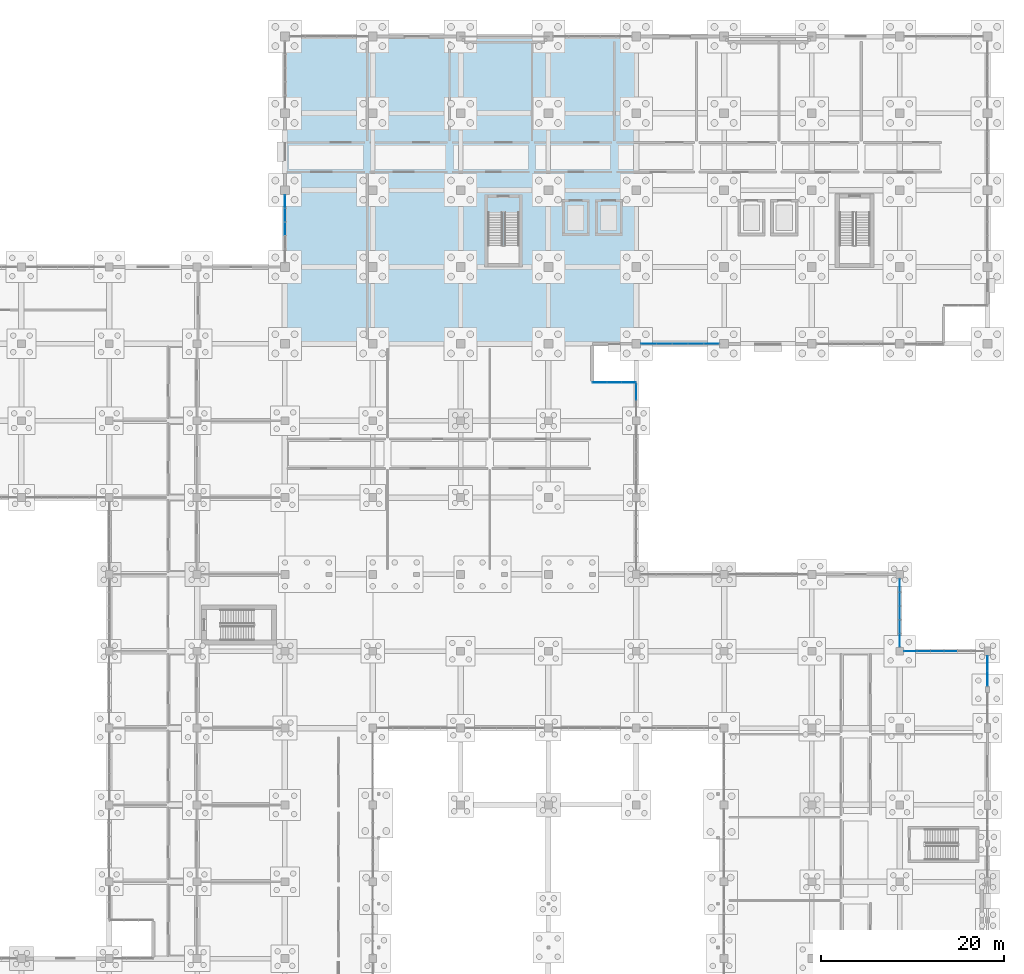
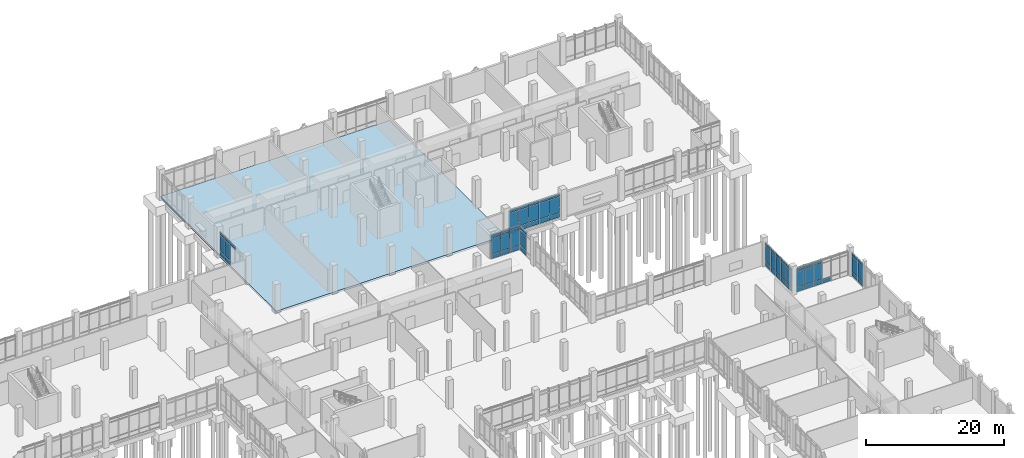
# One storey, part 88 of 136: 65 plates, 1 slab, 7 elements without a shape of their own.
"""IFC4 building model written with IfcOpenShell, lengths in metres."""

from ifc_helpers import new_model, si_unit, direction, frame, origin, origin_2d, place, context, subcontext, project, spatial, polyline, rectangle, outline, extrude, material, layer, layer_set, type_object, element, aggregate, save


model = new_model("IFC4")

# Units and contexts
model_context = context("Model", 3, precision=1e-05, world=origin(), true_north=direction((0.0, 1.0)))
body_context = subcontext(model_context, "Body", "Model", "MODEL_VIEW")
ifc_project = project(units=[si_unit("LENGTHUNIT", "METRE"), si_unit("AREAUNIT", "SQUARE_METRE"), si_unit("VOLUMEUNIT", "CUBIC_METRE"), si_unit("PLANEANGLEUNIT", "RADIAN"), si_unit("MASSUNIT", "GRAM", prefix="KILO")], contexts=[model_context])

# Site, building, storey
site_placement = place(None, origin())
site = spatial("IfcSite", under=ifc_project, at=site_placement, CompositionType="ELEMENT")
building_placement = place(site_placement, origin())
building = spatial("IfcBuilding", under=site, at=building_placement, Name="Oolite Switchyard Hospital", CompositionType="ELEMENT")
storey_placement = place(building_placement, origin())
storey = spatial("IfcBuildingStorey", under=building, at=storey_placement, Name="L00", CompositionType="ELEMENT", Elevation=0.0)

# Curtain wall, plates
ifc_material_1 = material(Name="Thermally broken aluminum frame with laminated impact glazing", Category="aluminium")
curtain_wall_type_1 = type_object("IfcCurtainWallType", Name="CW-UNIT-84X51", PredefinedType="USERDEFINED", material=ifc_material_1)
curtain_wall_1_placement = place(storey_placement, origin())
curtain_wall_1 = element("IfcCurtainWall", 1, at=curtain_wall_1_placement, inside=storey, type_object=curtain_wall_type_1, Name="L00 Unitised Curtain Wall 36", ObjectType="UNITISED", PredefinedType="USERDEFINED")
ifc_material_2 = material(Name="Insulated fluoropolymer-coated aluminum spandrel panel", Category="aluminium")
ifc_layer_1 = layer(ifc_material_2, 0.054931640625)
ifc_layer_set_1 = layer_set([ifc_layer_1], Name="CW-PNL-SPN55")
plate_type_1 = type_object("IfcPlateType", Name="CW-PNL-SPN55", PredefinedType="CURTAIN_PANEL", material=ifc_layer_set_1)
plate_1_placement = place(storey_placement, frame((168.81494140625, 96.60009765625, 0.06005859375), z_axis=(0.0, 0.0, 1.0), x_axis=(1.0, 0.0, 0.0)))
plate_1 = element("IfcPlate", 2, at=plate_1_placement, type_object=plate_type_1, Name="CW-06 panel 1.1", PredefinedType="CURTAIN_PANEL", context=body_context, shape_type="SweptSolid", body=[
    extrude(rectangle(XDim=1.510009765625, YDim=0.054931640625, at=origin_2d()), origin(), (0.0, 0.0, 1.0), 0.760009765625),
])
plate_2_placement = place(storey_placement, frame((168.81494140625, 96.60009765625, 0.8798828125), z_axis=(0.0, 0.0, 1.0), x_axis=(1.0, 0.0, 0.0)))
plate_2 = element("IfcPlate", 3, at=plate_2_placement, type_object=plate_type_1, Name="CW-06 panel 1.2", PredefinedType="CURTAIN_PANEL", context=body_context, shape_type="SweptSolid", body=[
    extrude(rectangle(XDim=1.510009765625, YDim=0.054931640625, at=origin_2d()), origin(), (0.0, 0.0, 1.0), 2.780029296875),
])
plate_3_placement = place(storey_placement, frame((168.81494140625, 96.60009765625, 3.719970703125), z_axis=(0.0, 0.0, 1.0), x_axis=(1.0, 0.0, 0.0)))
plate_3 = element("IfcPlate", 4, at=plate_3_placement, type_object=plate_type_1, Name="CW-06 panel 1.3", PredefinedType="CURTAIN_PANEL", context=body_context, shape_type="SweptSolid", body=[
    extrude(rectangle(XDim=1.510009765625, YDim=0.054931640625, at=origin_2d()), origin(), (0.0, 0.0, 1.0), 0.4599609375),
])
plate_4_placement = place(storey_placement, frame((170.39990234375, 96.60009765625, 0.06005859375), z_axis=(0.0, 0.0, 1.0), x_axis=(1.0, 0.0, 0.0)))
plate_4 = element("IfcPlate", 5, at=plate_4_placement, type_object=plate_type_1, Name="CW-06 panel 2.1", PredefinedType="CURTAIN_PANEL", context=body_context, shape_type="SweptSolid", body=[
    extrude(rectangle(XDim=1.5400390625, YDim=0.054931640625, at=origin_2d()), origin(), (0.0, 0.0, 1.0), 0.760009765625),
])
plate_5_placement = place(storey_placement, frame((170.39990234375, 96.60009765625, 0.8798828125), z_axis=(0.0, 0.0, 1.0), x_axis=(1.0, 0.0, 0.0)))
plate_5 = element("IfcPlate", 6, at=plate_5_placement, type_object=plate_type_1, Name="CW-06 panel 2.2", PredefinedType="CURTAIN_PANEL", context=body_context, shape_type="SweptSolid", body=[
    extrude(rectangle(XDim=1.5400390625, YDim=0.054931640625, at=origin_2d()), origin(), (0.0, 0.0, 1.0), 2.780029296875),
])
plate_6_placement = place(storey_placement, frame((170.39990234375, 96.60009765625, 3.719970703125), z_axis=(0.0, 0.0, 1.0), x_axis=(1.0, 0.0, 0.0)))
plate_6 = element("IfcPlate", 7, at=plate_6_placement, type_object=plate_type_1, Name="CW-06 panel 2.3", PredefinedType="CURTAIN_PANEL", context=body_context, shape_type="SweptSolid", body=[
    extrude(rectangle(XDim=1.5400390625, YDim=0.054931640625, at=origin_2d()), origin(), (0.0, 0.0, 1.0), 0.4599609375),
])
plate_7_placement = place(storey_placement, frame((171.985107421875, 96.60009765625, 0.06005859375), z_axis=(0.0, 0.0, 1.0), x_axis=(1.0, 0.0, 0.0)))
plate_7 = element("IfcPlate", 8, at=plate_7_placement, type_object=plate_type_1, Name="CW-06 panel 3.1", PredefinedType="CURTAIN_PANEL", context=body_context, shape_type="SweptSolid", body=[
    extrude(rectangle(XDim=1.510009765625, YDim=0.054931640625, at=origin_2d()), origin(), (0.0, 0.0, 1.0), 0.760009765625),
])
plate_8_placement = place(storey_placement, frame((171.985107421875, 96.60009765625, 0.8798828125), z_axis=(0.0, 0.0, 1.0), x_axis=(1.0, 0.0, 0.0)))
plate_8 = element("IfcPlate", 9, at=plate_8_placement, type_object=plate_type_1, Name="CW-06 panel 3.2", PredefinedType="CURTAIN_PANEL", context=body_context, shape_type="SweptSolid", body=[
    extrude(rectangle(XDim=1.510009765625, YDim=0.054931640625, at=origin_2d()), origin(), (0.0, 0.0, 1.0), 2.780029296875),
])
plate_9_placement = place(storey_placement, frame((171.985107421875, 96.60009765625, 3.719970703125), z_axis=(0.0, 0.0, 1.0), x_axis=(1.0, 0.0, 0.0)))
plate_9 = element("IfcPlate", 10, at=plate_9_placement, type_object=plate_type_1, Name="CW-06 panel 3.3", PredefinedType="CURTAIN_PANEL", context=body_context, shape_type="SweptSolid", body=[
    extrude(rectangle(XDim=1.510009765625, YDim=0.054931640625, at=origin_2d()), origin(), (0.0, 0.0, 1.0), 0.4599609375),
])
aggregate(curtain_wall_1, [plate_1, plate_2, plate_3, plate_4, plate_5, plate_6, plate_7, plate_8, plate_9])

curtain_wall_2_placement = place(storey_placement, origin())
curtain_wall_2 = element("IfcCurtainWall", 11, at=curtain_wall_2_placement, inside=storey, type_object=curtain_wall_type_1, Name="L00 Unitised Curtain Wall 86", ObjectType="UNITISED", PredefinedType="USERDEFINED")
ifc_material_3 = material(Name="Laminated hurricane-impact insulated glazing unit", Category="glass")
ifc_layer_2 = layer(ifc_material_3, 0.028076171875)
ifc_layer_set_2 = layer_set([ifc_layer_2], Name="CW-PNL-VIS28")
plate_type_2 = type_object("IfcPlateType", Name="CW-PNL-VIS28", PredefinedType="CURTAIN_PANEL", material=ifc_layer_set_2)
plate_10_placement = place(storey_placement, frame((201.60009765625, 74.38916015625, 0.06005859375), z_axis=(0.0, 0.0, 1.0), x_axis=(0.0, -1.0, 0.0)))
plate_10 = element("IfcPlate", 12, at=plate_10_placement, type_object=plate_type_2, Name="CW-06 panel 1.1", PredefinedType="CURTAIN_PANEL", context=body_context, shape_type="SweptSolid", body=[
    extrude(rectangle(XDim=1.3916015625, YDim=0.028076171875, at=origin_2d()), origin(), (0.0, 0.0, 1.0), 0.760009765625),
])
plate_11_placement = place(storey_placement, frame((201.60009765625, 74.38916015625, 0.8798828125), z_axis=(0.0, 0.0, 1.0), x_axis=(0.0, -1.0, 0.0)))
plate_11 = element("IfcPlate", 13, at=plate_11_placement, type_object=plate_type_2, Name="CW-06 panel 1.2", PredefinedType="CURTAIN_PANEL", context=body_context, shape_type="SweptSolid", body=[
    extrude(rectangle(XDim=1.3916015625, YDim=0.028076171875, at=origin_2d()), origin(), (0.0, 0.0, 1.0), 2.780029296875),
])
plate_12_placement = place(storey_placement, frame((201.60009765625, 74.38916015625, 3.719970703125), z_axis=(0.0, 0.0, 1.0), x_axis=(0.0, -1.0, 0.0)))
plate_12 = element("IfcPlate", 14, at=plate_12_placement, type_object=plate_type_2, Name="CW-06 panel 1.3", PredefinedType="CURTAIN_PANEL", context=body_context, shape_type="SweptSolid", body=[
    extrude(rectangle(XDim=1.3916015625, YDim=0.028076171875, at=origin_2d()), origin(), (0.0, 0.0, 1.0), 0.4599609375),
])
plate_13_placement = place(storey_placement, frame((201.60009765625, 72.904052734375, 0.06005859375), z_axis=(0.0, 0.0, 1.0), x_axis=(0.0, -1.0, 0.0)))
plate_13 = element("IfcPlate", 15, at=plate_13_placement, type_object=plate_type_2, Name="CW-06 panel 2.1", PredefinedType="CURTAIN_PANEL", context=body_context, shape_type="SweptSolid", body=[
    extrude(rectangle(XDim=1.428955078125, YDim=0.028076171875, at=origin_2d()), origin(), (0.0, 0.0, 1.0), 0.760009765625),
])
plate_14_placement = place(storey_placement, frame((201.60009765625, 72.904052734375, 0.8798828125), z_axis=(0.0, 0.0, 1.0), x_axis=(0.0, -1.0, 0.0)))
plate_14 = element("IfcPlate", 16, at=plate_14_placement, type_object=plate_type_2, Name="CW-06 panel 2.2", PredefinedType="CURTAIN_PANEL", context=body_context, shape_type="SweptSolid", body=[
    extrude(rectangle(XDim=1.428955078125, YDim=0.028076171875, at=origin_2d()), origin(), (0.0, 0.0, 1.0), 2.780029296875),
])
plate_15_placement = place(storey_placement, frame((201.60009765625, 72.904052734375, 3.719970703125), z_axis=(0.0, 0.0, 1.0), x_axis=(0.0, -1.0, 0.0)))
plate_15 = element("IfcPlate", 17, at=plate_15_placement, type_object=plate_type_2, Name="CW-06 panel 2.3", PredefinedType="CURTAIN_PANEL", context=body_context, shape_type="SweptSolid", body=[
    extrude(rectangle(XDim=1.428955078125, YDim=0.028076171875, at=origin_2d()), origin(), (0.0, 0.0, 1.0), 0.4599609375),
])
plate_16_placement = place(storey_placement, frame((201.60009765625, 71.39990234375, 0.06005859375), z_axis=(0.0, 0.0, 1.0), x_axis=(0.0, -1.0, 0.0)))
plate_16 = element("IfcPlate", 18, at=plate_16_placement, type_object=plate_type_2, Name="CW-06 panel 3.1", PredefinedType="CURTAIN_PANEL", context=body_context, shape_type="SweptSolid", body=[
    extrude(rectangle(XDim=1.428955078125, YDim=0.028076171875, at=origin_2d()), origin(), (0.0, 0.0, 1.0), 0.760009765625),
])
plate_17_placement = place(storey_placement, frame((201.60009765625, 71.39990234375, 0.8798828125), z_axis=(0.0, 0.0, 1.0), x_axis=(0.0, -1.0, 0.0)))
plate_17 = element("IfcPlate", 19, at=plate_17_placement, type_object=plate_type_2, Name="CW-06 panel 3.2", PredefinedType="CURTAIN_PANEL", context=body_context, shape_type="SweptSolid", body=[
    extrude(rectangle(XDim=1.428955078125, YDim=0.028076171875, at=origin_2d()), origin(), (0.0, 0.0, 1.0), 2.780029296875),
])
plate_18_placement = place(storey_placement, frame((201.60009765625, 71.39990234375, 3.719970703125), z_axis=(0.0, 0.0, 1.0), x_axis=(0.0, -1.0, 0.0)))
plate_18 = element("IfcPlate", 20, at=plate_18_placement, type_object=plate_type_2, Name="CW-06 panel 3.3", PredefinedType="CURTAIN_PANEL", context=body_context, shape_type="SweptSolid", body=[
    extrude(rectangle(XDim=1.428955078125, YDim=0.028076171875, at=origin_2d()), origin(), (0.0, 0.0, 1.0), 0.4599609375),
])
plate_19_placement = place(storey_placement, frame((201.60009765625, 69.89599609375, 0.06005859375), z_axis=(0.0, 0.0, 1.0), x_axis=(0.0, -1.0, 0.0)))
plate_19 = element("IfcPlate", 21, at=plate_19_placement, type_object=plate_type_2, Name="CW-06 panel 4.1", PredefinedType="CURTAIN_PANEL", context=body_context, shape_type="SweptSolid", body=[
    extrude(rectangle(XDim=1.428955078125, YDim=0.028076171875, at=origin_2d()), origin(), (0.0, 0.0, 1.0), 0.760009765625),
])
plate_20_placement = place(storey_placement, frame((201.60009765625, 69.89599609375, 0.8798828125), z_axis=(0.0, 0.0, 1.0), x_axis=(0.0, -1.0, 0.0)))
plate_20 = element("IfcPlate", 22, at=plate_20_placement, type_object=plate_type_2, Name="CW-06 panel 4.2", PredefinedType="CURTAIN_PANEL", context=body_context, shape_type="SweptSolid", body=[
    extrude(rectangle(XDim=1.428955078125, YDim=0.028076171875, at=origin_2d()), origin(), (0.0, 0.0, 1.0), 2.780029296875),
])
plate_21_placement = place(storey_placement, frame((201.60009765625, 69.89599609375, 3.719970703125), z_axis=(0.0, 0.0, 1.0), x_axis=(0.0, -1.0, 0.0)))
plate_21 = element("IfcPlate", 23, at=plate_21_placement, type_object=plate_type_2, Name="CW-06 panel 4.3", PredefinedType="CURTAIN_PANEL", context=body_context, shape_type="SweptSolid", body=[
    extrude(rectangle(XDim=1.428955078125, YDim=0.028076171875, at=origin_2d()), origin(), (0.0, 0.0, 1.0), 0.4599609375),
])
plate_22_placement = place(storey_placement, frame((201.60009765625, 68.41064453125, 0.06005859375), z_axis=(0.0, 0.0, 1.0), x_axis=(0.0, -1.0, 0.0)))
plate_22 = element("IfcPlate", 24, at=plate_22_placement, type_object=plate_type_2, Name="CW-06 panel 5.1", PredefinedType="CURTAIN_PANEL", context=body_context, shape_type="SweptSolid", body=[
    extrude(rectangle(XDim=1.3916015625, YDim=0.028076171875, at=origin_2d()), origin(), (0.0, 0.0, 1.0), 0.760009765625),
])
plate_23_placement = place(storey_placement, frame((201.60009765625, 68.41064453125, 0.8798828125), z_axis=(0.0, 0.0, 1.0), x_axis=(0.0, -1.0, 0.0)))
plate_23 = element("IfcPlate", 25, at=plate_23_placement, type_object=plate_type_2, Name="CW-06 panel 5.2", PredefinedType="CURTAIN_PANEL", context=body_context, shape_type="SweptSolid", body=[
    extrude(rectangle(XDim=1.3916015625, YDim=0.028076171875, at=origin_2d()), origin(), (0.0, 0.0, 1.0), 2.780029296875),
])
plate_24_placement = place(storey_placement, frame((201.60009765625, 68.41064453125, 3.719970703125), z_axis=(0.0, 0.0, 1.0), x_axis=(0.0, -1.0, 0.0)))
plate_24 = element("IfcPlate", 26, at=plate_24_placement, type_object=plate_type_2, Name="CW-06 panel 5.3", PredefinedType="CURTAIN_PANEL", context=body_context, shape_type="SweptSolid", body=[
    extrude(rectangle(XDim=1.3916015625, YDim=0.028076171875, at=origin_2d()), origin(), (0.0, 0.0, 1.0), 0.4599609375),
])
aggregate(curtain_wall_2, [plate_10, plate_11, plate_12, plate_13, plate_14, plate_15, plate_16, plate_17, plate_18, plate_19, plate_20, plate_21, plate_22, plate_23, plate_24])

curtain_wall_3_placement = place(storey_placement, origin())
curtain_wall_3 = element("IfcCurtainWall", 27, at=curtain_wall_3_placement, inside=storey, type_object=curtain_wall_type_1, Name="L00 Unitised Curtain Wall 90", ObjectType="UNITISED", PredefinedType="USERDEFINED")
plate_25_placement = place(storey_placement, frame((211.199951171875, 65.8525390625, 0.06005859375), z_axis=(0.0, 0.0, 1.0), x_axis=(0.0, -1.0, 0.0)))
plate_25 = element("IfcPlate", 28, at=plate_25_placement, type_object=plate_type_2, Name="CW-06 panel 1.1", PredefinedType="CURTAIN_PANEL", context=body_context, shape_type="SweptSolid", body=[
    extrude(rectangle(XDim=1.594970703125, YDim=0.028076171875, at=origin_2d()), origin(), (0.0, 0.0, 1.0), 0.760009765625),
])
plate_26_placement = place(storey_placement, frame((211.199951171875, 65.8525390625, 0.8798828125), z_axis=(0.0, 0.0, 1.0), x_axis=(0.0, -1.0, 0.0)))
plate_26 = element("IfcPlate", 29, at=plate_26_placement, type_object=plate_type_2, Name="CW-06 panel 1.2", PredefinedType="CURTAIN_PANEL", context=body_context, shape_type="SweptSolid", body=[
    extrude(rectangle(XDim=1.594970703125, YDim=0.028076171875, at=origin_2d()), origin(), (0.0, 0.0, 1.0), 2.780029296875),
])
plate_27_placement = place(storey_placement, frame((211.199951171875, 65.8525390625, 3.719970703125), z_axis=(0.0, 0.0, 1.0), x_axis=(0.0, -1.0, 0.0)))
plate_27 = element("IfcPlate", 30, at=plate_27_placement, type_object=plate_type_2, Name="CW-06 panel 1.3", PredefinedType="CURTAIN_PANEL", context=body_context, shape_type="SweptSolid", body=[
    extrude(rectangle(XDim=1.594970703125, YDim=0.028076171875, at=origin_2d()), origin(), (0.0, 0.0, 1.0), 0.4599609375),
])
plate_28_placement = place(storey_placement, frame((211.199951171875, 64.197509765625, 0.06005859375), z_axis=(0.0, 0.0, 1.0), x_axis=(0.0, -1.0, 0.0)))
plate_28 = element("IfcPlate", 31, at=plate_28_placement, type_object=plate_type_2, Name="CW-06 panel 2.1", PredefinedType="CURTAIN_PANEL", context=body_context, shape_type="SweptSolid", body=[
    extrude(rectangle(XDim=1.594970703125, YDim=0.028076171875, at=origin_2d()), origin(), (0.0, 0.0, 1.0), 0.760009765625),
])
plate_29_placement = place(storey_placement, frame((211.199951171875, 64.197509765625, 0.8798828125), z_axis=(0.0, 0.0, 1.0), x_axis=(0.0, -1.0, 0.0)))
plate_29 = element("IfcPlate", 32, at=plate_29_placement, type_object=plate_type_2, Name="CW-06 panel 2.2", PredefinedType="CURTAIN_PANEL", context=body_context, shape_type="SweptSolid", body=[
    extrude(rectangle(XDim=1.594970703125, YDim=0.028076171875, at=origin_2d()), origin(), (0.0, 0.0, 1.0), 2.780029296875),
])
plate_30_placement = place(storey_placement, frame((211.199951171875, 64.197509765625, 3.719970703125), z_axis=(0.0, 0.0, 1.0), x_axis=(0.0, -1.0, 0.0)))
plate_30 = element("IfcPlate", 33, at=plate_30_placement, type_object=plate_type_2, Name="CW-06 panel 2.3", PredefinedType="CURTAIN_PANEL", context=body_context, shape_type="SweptSolid", body=[
    extrude(rectangle(XDim=1.594970703125, YDim=0.028076171875, at=origin_2d()), origin(), (0.0, 0.0, 1.0), 0.4599609375),
])
aggregate(curtain_wall_3, [plate_25, plate_26, plate_27, plate_28, plate_29, plate_30])

curtain_wall_type_2 = type_object("IfcCurtainWallType", Name="CW-UNIT-96X51", PredefinedType="USERDEFINED", material=ifc_material_1)
curtain_wall_4_placement = place(storey_placement, origin())
curtain_wall_4 = element("IfcCurtainWall", 34, at=curtain_wall_4_placement, inside=storey, type_object=curtain_wall_type_2, Name="L00 Unitised Curtain Wall 37", ObjectType="UNITISED", PredefinedType="USERDEFINED")
ifc_layer_3 = layer(ifc_material_3, 0.031982421875)
ifc_layer_set_3 = layer_set([ifc_layer_3], Name="CW-PNL-VIS32")
plate_type_3 = type_object("IfcPlateType", Name="CW-PNL-VIS32", PredefinedType="CURTAIN_PANEL", material=ifc_layer_set_3)
plate_31_placement = place(storey_placement, frame((181.030517578125, 100.800048828125, 0.0751953125), z_axis=(0.0, 0.0, 1.0), x_axis=(-1.0, 0.0, 0.0)))
plate_31 = element("IfcPlate", 35, at=plate_31_placement, type_object=plate_type_3, Name="CW-01 panel 1.1", PredefinedType="CURTAIN_PANEL", context=body_context, shape_type="SweptSolid", body=[
    extrude(rectangle(XDim=1.618896484375, YDim=0.031982421875, at=origin_2d()), origin(), (0.0, 0.0, 1.0), 0.737548828125),
])
plate_32_placement = place(storey_placement, frame((181.030517578125, 100.800048828125, 0.8876953125), z_axis=(0.0, 0.0, 1.0), x_axis=(-1.0, 0.0, 0.0)))
plate_32 = element("IfcPlate", 36, at=plate_32_placement, type_object=plate_type_3, Name="CW-01 panel 1.2", PredefinedType="CURTAIN_PANEL", context=body_context, shape_type="SweptSolid", body=[
    extrude(rectangle(XDim=1.618896484375, YDim=0.031982421875, at=origin_2d()), origin(), (0.0, 0.0, 1.0), 2.764892578125),
])
plate_33_placement = place(storey_placement, frame((181.030517578125, 100.800048828125, 3.7275390625), z_axis=(0.0, 0.0, 1.0), x_axis=(-1.0, 0.0, 0.0)))
plate_33 = element("IfcPlate", 37, at=plate_33_placement, type_object=plate_type_3, Name="CW-01 panel 1.3", PredefinedType="CURTAIN_PANEL", context=body_context, shape_type="SweptSolid", body=[
    extrude(rectangle(XDim=1.618896484375, YDim=0.031982421875, at=origin_2d()), origin(), (0.0, 0.0, 1.0), 0.4375),
])
plate_34_placement = place(storey_placement, frame((179.323974609375, 100.800048828125, 0.0751953125), z_axis=(0.0, 0.0, 1.0), x_axis=(-1.0, 0.0, 0.0)))
plate_34 = element("IfcPlate", 38, at=plate_34_placement, type_object=plate_type_3, Name="CW-01 panel 2.1", PredefinedType="CURTAIN_PANEL", context=body_context, shape_type="SweptSolid", body=[
    extrude(rectangle(XDim=1.654052734375, YDim=0.031982421875, at=origin_2d()), origin(), (0.0, 0.0, 1.0), 0.737548828125),
])
plate_35_placement = place(storey_placement, frame((179.323974609375, 100.800048828125, 0.8876953125), z_axis=(0.0, 0.0, 1.0), x_axis=(-1.0, 0.0, 0.0)))
plate_35 = element("IfcPlate", 39, at=plate_35_placement, type_object=plate_type_3, Name="CW-01 panel 2.2", PredefinedType="CURTAIN_PANEL", context=body_context, shape_type="SweptSolid", body=[
    extrude(rectangle(XDim=1.654052734375, YDim=0.031982421875, at=origin_2d()), origin(), (0.0, 0.0, 1.0), 2.764892578125),
])
plate_36_placement = place(storey_placement, frame((179.323974609375, 100.800048828125, 3.7275390625), z_axis=(0.0, 0.0, 1.0), x_axis=(-1.0, 0.0, 0.0)))
plate_36 = element("IfcPlate", 40, at=plate_36_placement, type_object=plate_type_3, Name="CW-01 panel 2.3", PredefinedType="CURTAIN_PANEL", context=body_context, shape_type="SweptSolid", body=[
    extrude(rectangle(XDim=1.654052734375, YDim=0.031982421875, at=origin_2d()), origin(), (0.0, 0.0, 1.0), 0.4375),
])
plate_37_placement = place(storey_placement, frame((177.60009765625, 100.800048828125, 0.0751953125), z_axis=(0.0, 0.0, 1.0), x_axis=(-1.0, 0.0, 0.0)))
plate_37 = element("IfcPlate", 41, at=plate_37_placement, type_object=plate_type_3, Name="CW-01 panel 3.1", PredefinedType="CURTAIN_PANEL", context=body_context, shape_type="SweptSolid", body=[
    extrude(rectangle(XDim=1.654052734375, YDim=0.031982421875, at=origin_2d()), origin(), (0.0, 0.0, 1.0), 0.737548828125),
])
plate_38_placement = place(storey_placement, frame((177.60009765625, 100.800048828125, 0.8876953125), z_axis=(0.0, 0.0, 1.0), x_axis=(-1.0, 0.0, 0.0)))
plate_38 = element("IfcPlate", 42, at=plate_38_placement, type_object=plate_type_3, Name="CW-01 panel 3.2", PredefinedType="CURTAIN_PANEL", context=body_context, shape_type="SweptSolid", body=[
    extrude(rectangle(XDim=1.654052734375, YDim=0.031982421875, at=origin_2d()), origin(), (0.0, 0.0, 1.0), 2.764892578125),
])
plate_39_placement = place(storey_placement, frame((177.60009765625, 100.800048828125, 3.7275390625), z_axis=(0.0, 0.0, 1.0), x_axis=(-1.0, 0.0, 0.0)))
plate_39 = element("IfcPlate", 43, at=plate_39_placement, type_object=plate_type_3, Name="CW-01 panel 3.3", PredefinedType="CURTAIN_PANEL", context=body_context, shape_type="SweptSolid", body=[
    extrude(rectangle(XDim=1.654052734375, YDim=0.031982421875, at=origin_2d()), origin(), (0.0, 0.0, 1.0), 0.4375),
])
plate_40_placement = place(storey_placement, frame((175.8759765625, 100.800048828125, 0.0751953125), z_axis=(0.0, 0.0, 1.0), x_axis=(-1.0, 0.0, 0.0)))
plate_40 = element("IfcPlate", 44, at=plate_40_placement, type_object=plate_type_3, Name="CW-01 panel 4.1", PredefinedType="CURTAIN_PANEL", context=body_context, shape_type="SweptSolid", body=[
    extrude(rectangle(XDim=1.654052734375, YDim=0.031982421875, at=origin_2d()), origin(), (0.0, 0.0, 1.0), 0.737548828125),
])
plate_41_placement = place(storey_placement, frame((175.8759765625, 100.800048828125, 0.8876953125), z_axis=(0.0, 0.0, 1.0), x_axis=(-1.0, 0.0, 0.0)))
plate_41 = element("IfcPlate", 45, at=plate_41_placement, type_object=plate_type_3, Name="CW-01 panel 4.2", PredefinedType="CURTAIN_PANEL", context=body_context, shape_type="SweptSolid", body=[
    extrude(rectangle(XDim=1.654052734375, YDim=0.031982421875, at=origin_2d()), origin(), (0.0, 0.0, 1.0), 2.764892578125),
])
plate_42_placement = place(storey_placement, frame((175.8759765625, 100.800048828125, 3.7275390625), z_axis=(0.0, 0.0, 1.0), x_axis=(-1.0, 0.0, 0.0)))
plate_42 = element("IfcPlate", 46, at=plate_42_placement, type_object=plate_type_3, Name="CW-01 panel 4.3", PredefinedType="CURTAIN_PANEL", context=body_context, shape_type="SweptSolid", body=[
    extrude(rectangle(XDim=1.654052734375, YDim=0.031982421875, at=origin_2d()), origin(), (0.0, 0.0, 1.0), 0.4375),
])
plate_43_placement = place(storey_placement, frame((174.16943359375, 100.800048828125, 0.0751953125), z_axis=(0.0, 0.0, 1.0), x_axis=(-1.0, 0.0, 0.0)))
plate_43 = element("IfcPlate", 47, at=plate_43_placement, type_object=plate_type_3, Name="CW-01 panel 5.1", PredefinedType="CURTAIN_PANEL", context=body_context, shape_type="SweptSolid", body=[
    extrude(rectangle(XDim=1.618896484375, YDim=0.031982421875, at=origin_2d()), origin(), (0.0, 0.0, 1.0), 0.737548828125),
])
plate_44_placement = place(storey_placement, frame((174.16943359375, 100.800048828125, 0.8876953125), z_axis=(0.0, 0.0, 1.0), x_axis=(-1.0, 0.0, 0.0)))
plate_44 = element("IfcPlate", 48, at=plate_44_placement, type_object=plate_type_3, Name="CW-01 panel 5.2", PredefinedType="CURTAIN_PANEL", context=body_context, shape_type="SweptSolid", body=[
    extrude(rectangle(XDim=1.618896484375, YDim=0.031982421875, at=origin_2d()), origin(), (0.0, 0.0, 1.0), 2.764892578125),
])
plate_45_placement = place(storey_placement, frame((174.16943359375, 100.800048828125, 3.7275390625), z_axis=(0.0, 0.0, 1.0), x_axis=(-1.0, 0.0, 0.0)))
plate_45 = element("IfcPlate", 49, at=plate_45_placement, type_object=plate_type_3, Name="CW-01 panel 5.3", PredefinedType="CURTAIN_PANEL", context=body_context, shape_type="SweptSolid", body=[
    extrude(rectangle(XDim=1.618896484375, YDim=0.031982421875, at=origin_2d()), origin(), (0.0, 0.0, 1.0), 0.4375),
])
aggregate(curtain_wall_4, [plate_31, plate_32, plate_33, plate_34, plate_35, plate_36, plate_37, plate_38, plate_39, plate_40, plate_41, plate_42, plate_43, plate_44, plate_45])

curtain_wall_5_placement = place(storey_placement, origin())
curtain_wall_5 = element("IfcCurtainWall", 50, at=curtain_wall_5_placement, inside=storey, type_object=curtain_wall_type_1, Name="L00 Unitised Curtain Wall 73", ObjectType="UNITISED", PredefinedType="USERDEFINED")
plate_46_placement = place(storey_placement, frame((134.39990234375, 113.39990234375, 3.7275390625), z_axis=(0.0, 0.0, 1.0), x_axis=(0.0, 1.0, 0.0)))
plate_46 = element("IfcPlate", 51, at=plate_46_placement, type_object=plate_type_3, Name="CW-06 panel 3.3", PredefinedType="CURTAIN_PANEL", context=body_context, shape_type="SweptSolid", body=[
    extrude(rectangle(XDim=1.4140625, YDim=0.031982421875, at=origin_2d()), origin(), (0.0, 0.0, 1.0), 0.4375),
])
plate_47_placement = place(storey_placement, frame((134.39990234375, 114.884033203125, 0.0751953125), z_axis=(0.0, 0.0, 1.0), x_axis=(0.0, 1.0, 0.0)))
plate_47 = element("IfcPlate", 52, at=plate_47_placement, type_object=plate_type_3, Name="CW-06 panel 4.1", PredefinedType="CURTAIN_PANEL", context=body_context, shape_type="SweptSolid", body=[
    extrude(rectangle(XDim=1.4140625, YDim=0.031982421875, at=origin_2d()), origin(), (0.0, 0.0, 1.0), 0.737548828125),
])
plate_48_placement = place(storey_placement, frame((134.39990234375, 114.884033203125, 0.8876953125), z_axis=(0.0, 0.0, 1.0), x_axis=(0.0, 1.0, 0.0)))
plate_48 = element("IfcPlate", 53, at=plate_48_placement, type_object=plate_type_3, Name="CW-06 panel 4.2", PredefinedType="CURTAIN_PANEL", context=body_context, shape_type="SweptSolid", body=[
    extrude(rectangle(XDim=1.4140625, YDim=0.031982421875, at=origin_2d()), origin(), (0.0, 0.0, 1.0), 2.764892578125),
])
plate_49_placement = place(storey_placement, frame((134.39990234375, 114.884033203125, 3.7275390625), z_axis=(0.0, 0.0, 1.0), x_axis=(0.0, 1.0, 0.0)))
plate_49 = element("IfcPlate", 54, at=plate_49_placement, type_object=plate_type_3, Name="CW-06 panel 4.3", PredefinedType="CURTAIN_PANEL", context=body_context, shape_type="SweptSolid", body=[
    extrude(rectangle(XDim=1.4140625, YDim=0.031982421875, at=origin_2d()), origin(), (0.0, 0.0, 1.0), 0.4375),
])
plate_50_placement = place(storey_placement, frame((134.39990234375, 116.3505859375, 0.0751953125), z_axis=(0.0, 0.0, 1.0), x_axis=(0.0, 1.0, 0.0)))
plate_50 = element("IfcPlate", 55, at=plate_50_placement, type_object=plate_type_3, Name="CW-06 panel 5.1", PredefinedType="CURTAIN_PANEL", context=body_context, shape_type="SweptSolid", body=[
    extrude(rectangle(XDim=1.37890625, YDim=0.031982421875, at=origin_2d()), origin(), (0.0, 0.0, 1.0), 0.737548828125),
])
plate_51_placement = place(storey_placement, frame((134.39990234375, 116.3505859375, 0.8876953125), z_axis=(0.0, 0.0, 1.0), x_axis=(0.0, 1.0, 0.0)))
plate_51 = element("IfcPlate", 56, at=plate_51_placement, type_object=plate_type_3, Name="CW-06 panel 5.2", PredefinedType="CURTAIN_PANEL", context=body_context, shape_type="SweptSolid", body=[
    extrude(rectangle(XDim=1.37890625, YDim=0.031982421875, at=origin_2d()), origin(), (0.0, 0.0, 1.0), 2.764892578125),
])
plate_52_placement = place(storey_placement, frame((134.39990234375, 116.3505859375, 3.7275390625), z_axis=(0.0, 0.0, 1.0), x_axis=(0.0, 1.0, 0.0)))
plate_52 = element("IfcPlate", 57, at=plate_52_placement, type_object=plate_type_3, Name="CW-06 panel 5.3", PredefinedType="CURTAIN_PANEL", context=body_context, shape_type="SweptSolid", body=[
    extrude(rectangle(XDim=1.37890625, YDim=0.031982421875, at=origin_2d()), origin(), (0.0, 0.0, 1.0), 0.4375),
])
aggregate(curtain_wall_5, [plate_46, plate_47, plate_48, plate_49, plate_50, plate_51, plate_52])

curtain_wall_6_placement = place(storey_placement, origin())
curtain_wall_6 = element("IfcCurtainWall", 58, at=curtain_wall_6_placement, inside=storey, type_object=curtain_wall_type_1, Name="L00 Unitised Curtain Wall 81", ObjectType="UNITISED", PredefinedType="USERDEFINED")
plate_53_placement = place(storey_placement, frame((172.800048828125, 95.52490234375, 0.0751953125), z_axis=(0.0, 0.0, 1.0), x_axis=(0.0, -1.0, 0.0)))
plate_53 = element("IfcPlate", 59, at=plate_53_placement, type_object=plate_type_3, Name="CW-06 panel 1.1", PredefinedType="CURTAIN_PANEL", context=body_context, shape_type="SweptSolid", body=[
    extrude(rectangle(XDim=1.7099609375, YDim=0.031982421875, at=origin_2d()), origin(), (0.0, 0.0, 1.0), 0.737548828125),
])
plate_54_placement = place(storey_placement, frame((172.800048828125, 95.52490234375, 0.8876953125), z_axis=(0.0, 0.0, 1.0), x_axis=(0.0, -1.0, 0.0)))
plate_54 = element("IfcPlate", 60, at=plate_54_placement, type_object=plate_type_3, Name="CW-06 panel 1.2", PredefinedType="CURTAIN_PANEL", context=body_context, shape_type="SweptSolid", body=[
    extrude(rectangle(XDim=1.7099609375, YDim=0.031982421875, at=origin_2d()), origin(), (0.0, 0.0, 1.0), 2.764892578125),
])
plate_55_placement = place(storey_placement, frame((172.800048828125, 95.52490234375, 3.7275390625), z_axis=(0.0, 0.0, 1.0), x_axis=(0.0, -1.0, 0.0)))
plate_55 = element("IfcPlate", 61, at=plate_55_placement, type_object=plate_type_3, Name="CW-06 panel 1.3", PredefinedType="CURTAIN_PANEL", context=body_context, shape_type="SweptSolid", body=[
    extrude(rectangle(XDim=1.7099609375, YDim=0.031982421875, at=origin_2d()), origin(), (0.0, 0.0, 1.0), 0.4375),
])
aggregate(curtain_wall_6, [plate_53, plate_54, plate_55])

curtain_wall_7_placement = place(storey_placement, origin())
curtain_wall_7 = element("IfcCurtainWall", 62, at=curtain_wall_7_placement, inside=storey, type_object=curtain_wall_type_2, Name="L00 Unitised Curtain Wall 24", ObjectType="UNITISED", PredefinedType="USERDEFINED")
ifc_layer_4 = layer(ifc_material_3, 0.035888671875)
ifc_layer_set_4 = layer_set([ifc_layer_4], Name="CW-PNL-VIS36")
plate_type_4 = type_object("IfcPlateType", Name="CW-PNL-VIS36", PredefinedType="CURTAIN_PANEL", material=ifc_layer_set_4)
plate_56_placement = place(storey_placement, frame((202.7900390625, 67.199951171875, 0.06005859375), z_axis=(0.0, 0.0, 1.0), x_axis=(1.0, 0.0, 0.0)))
plate_56 = element("IfcPlate", 63, at=plate_56_placement, type_object=plate_type_4, Name="CW-01 panel 1.1", PredefinedType="CURTAIN_PANEL", context=body_context, shape_type="SweptSolid", body=[
    extrude(rectangle(XDim=1.3798828125, YDim=0.035888671875, at=origin_2d()), origin(), (0.0, 0.0, 1.0), 0.760009765625),
])
plate_57_placement = place(storey_placement, frame((202.7900390625, 67.199951171875, 0.8798828125), z_axis=(0.0, 0.0, 1.0), x_axis=(1.0, 0.0, 0.0)))
plate_57 = element("IfcPlate", 64, at=plate_57_placement, type_object=plate_type_4, Name="CW-01 panel 1.2", PredefinedType="CURTAIN_PANEL", context=body_context, shape_type="SweptSolid", body=[
    extrude(rectangle(XDim=1.3798828125, YDim=0.035888671875, at=origin_2d()), origin(), (0.0, 0.0, 1.0), 2.780029296875),
])
plate_58_placement = place(storey_placement, frame((202.7900390625, 67.199951171875, 3.719970703125), z_axis=(0.0, 0.0, 1.0), x_axis=(1.0, 0.0, 0.0)))
plate_58 = element("IfcPlate", 65, at=plate_58_placement, type_object=plate_type_4, Name="CW-01 panel 1.3", PredefinedType="CURTAIN_PANEL", context=body_context, shape_type="SweptSolid", body=[
    extrude(rectangle(XDim=1.3798828125, YDim=0.035888671875, at=origin_2d()), origin(), (0.0, 0.0, 1.0), 0.4599609375),
])
plate_59_placement = place(storey_placement, frame((204.2451171875, 67.199951171875, 0.06005859375), z_axis=(0.0, 0.0, 1.0), x_axis=(1.0, 0.0, 0.0)))
plate_59 = element("IfcPlate", 66, at=plate_59_placement, type_object=plate_type_4, Name="CW-01 panel 2.1", PredefinedType="CURTAIN_PANEL", context=body_context, shape_type="SweptSolid", body=[
    extrude(rectangle(XDim=1.409912109375, YDim=0.035888671875, at=origin_2d()), origin(), (0.0, 0.0, 1.0), 0.760009765625),
])
plate_60_placement = place(storey_placement, frame((204.2451171875, 67.199951171875, 0.8798828125), z_axis=(0.0, 0.0, 1.0), x_axis=(1.0, 0.0, 0.0)))
plate_60 = element("IfcPlate", 67, at=plate_60_placement, type_object=plate_type_4, Name="CW-01 panel 2.2", PredefinedType="CURTAIN_PANEL", context=body_context, shape_type="SweptSolid", body=[
    extrude(rectangle(XDim=1.409912109375, YDim=0.035888671875, at=origin_2d()), origin(), (0.0, 0.0, 1.0), 2.780029296875),
])
plate_61_placement = place(storey_placement, frame((204.2451171875, 67.199951171875, 3.719970703125), z_axis=(0.0, 0.0, 1.0), x_axis=(1.0, 0.0, 0.0)))
plate_61 = element("IfcPlate", 68, at=plate_61_placement, type_object=plate_type_4, Name="CW-01 panel 2.3", PredefinedType="CURTAIN_PANEL", context=body_context, shape_type="SweptSolid", body=[
    extrude(rectangle(XDim=1.409912109375, YDim=0.035888671875, at=origin_2d()), origin(), (0.0, 0.0, 1.0), 0.4599609375),
])
plate_62_placement = place(storey_placement, frame((205.715087890625, 67.199951171875, 0.06005859375), z_axis=(0.0, 0.0, 1.0), x_axis=(1.0, 0.0, 0.0)))
plate_62 = element("IfcPlate", 69, at=plate_62_placement, type_object=plate_type_4, Name="CW-01 panel 3.1", PredefinedType="CURTAIN_PANEL", context=body_context, shape_type="SweptSolid", body=[
    extrude(rectangle(XDim=1.409912109375, YDim=0.035888671875, at=origin_2d()), origin(), (0.0, 0.0, 1.0), 0.760009765625),
])
plate_63_placement = place(storey_placement, frame((205.715087890625, 67.199951171875, 0.8798828125), z_axis=(0.0, 0.0, 1.0), x_axis=(1.0, 0.0, 0.0)))
plate_63 = element("IfcPlate", 70, at=plate_63_placement, type_object=plate_type_4, Name="CW-01 panel 3.2", PredefinedType="CURTAIN_PANEL", context=body_context, shape_type="SweptSolid", body=[
    extrude(rectangle(XDim=1.409912109375, YDim=0.035888671875, at=origin_2d()), origin(), (0.0, 0.0, 1.0), 2.780029296875),
])
plate_64_placement = place(storey_placement, frame((205.715087890625, 67.199951171875, 3.719970703125), z_axis=(0.0, 0.0, 1.0), x_axis=(1.0, 0.0, 0.0)))
plate_64 = element("IfcPlate", 71, at=plate_64_placement, type_object=plate_type_4, Name="CW-01 panel 3.3", PredefinedType="CURTAIN_PANEL", context=body_context, shape_type="SweptSolid", body=[
    extrude(rectangle(XDim=1.409912109375, YDim=0.035888671875, at=origin_2d()), origin(), (0.0, 0.0, 1.0), 0.4599609375),
])
plate_65_placement = place(storey_placement, frame((207.18505859375, 67.199951171875, 0.06005859375), z_axis=(0.0, 0.0, 1.0), x_axis=(1.0, 0.0, 0.0)))
plate_65 = element("IfcPlate", 72, at=plate_65_placement, type_object=plate_type_4, Name="CW-01 panel 4.1", PredefinedType="CURTAIN_PANEL", context=body_context, shape_type="SweptSolid", body=[
    extrude(rectangle(XDim=1.409912109375, YDim=0.035888671875, at=origin_2d()), origin(), (0.0, 0.0, 1.0), 0.760009765625),
])
aggregate(curtain_wall_7, [plate_56, plate_57, plate_58, plate_59, plate_60, plate_61, plate_62, plate_63, plate_64, plate_65])

# Slab
ifc_material_4 = material(Name="Concrete C40/50", Category="concrete")
ifc_layer_5 = layer(ifc_material_4, 0.35009765625)
ifc_layer_set_5 = layer_set([ifc_layer_5], Name="SLB-BASE-350")
slab_type = type_object("IfcSlabType", Name="SLB-BASE-350", PredefinedType="BASESLAB", material=ifc_layer_set_5)
slab_placement = place(storey_placement, frame((0.0, 0.0, -0.35009765625)))
element("IfcSlab", 73, at=slab_placement, inside=storey, type_object=slab_type, Name="L00 V5E Slab V5E1", PredefinedType="BASESLAB", context=body_context, shape_type="SweptSolid", body=[
    extrude(outline(polyline([(134.39990234375, 100.800048828125), (172.800048828125, 100.800048828125), (172.800048828125, 134.39990234375), (134.39990234375, 134.39990234375), (134.39990234375, 100.800048828125)])), origin(), (0.0, 0.0, 1.0), 0.35009765625),
])

save(model, "model.ifc")
